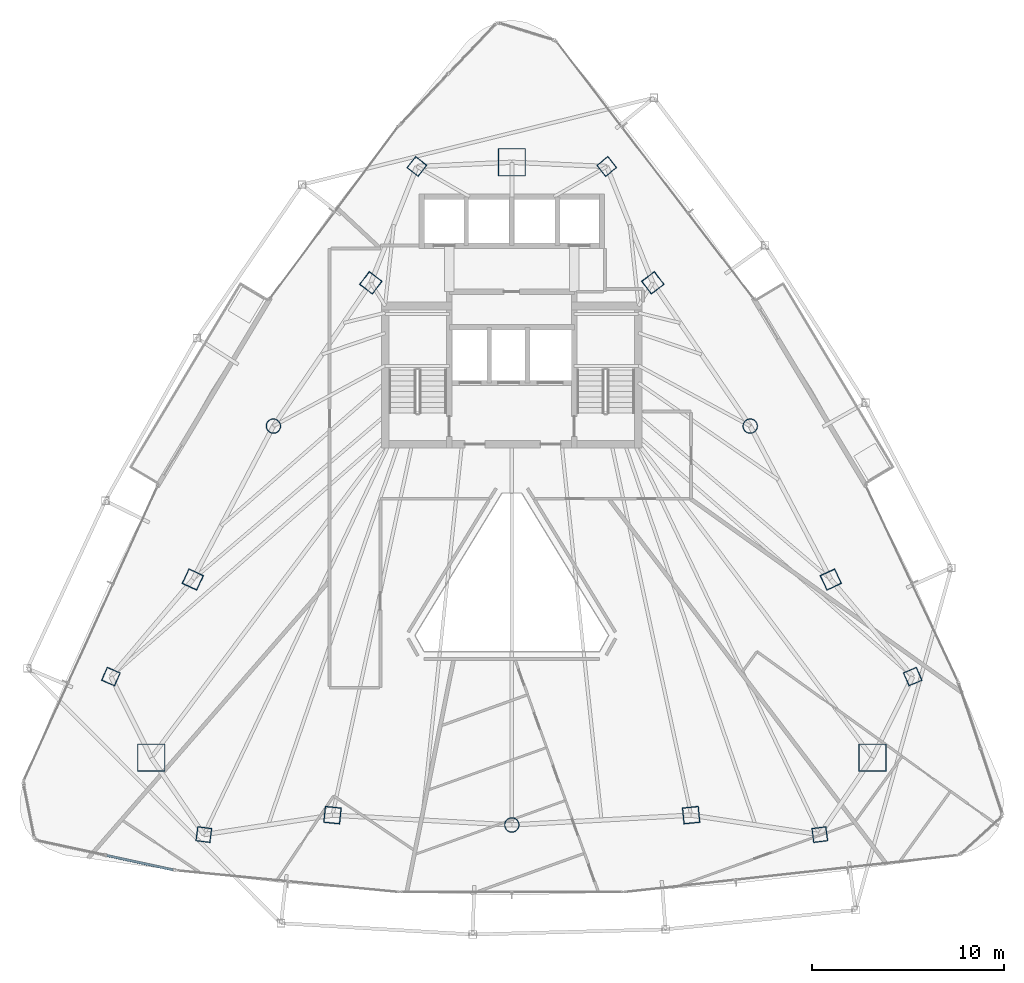
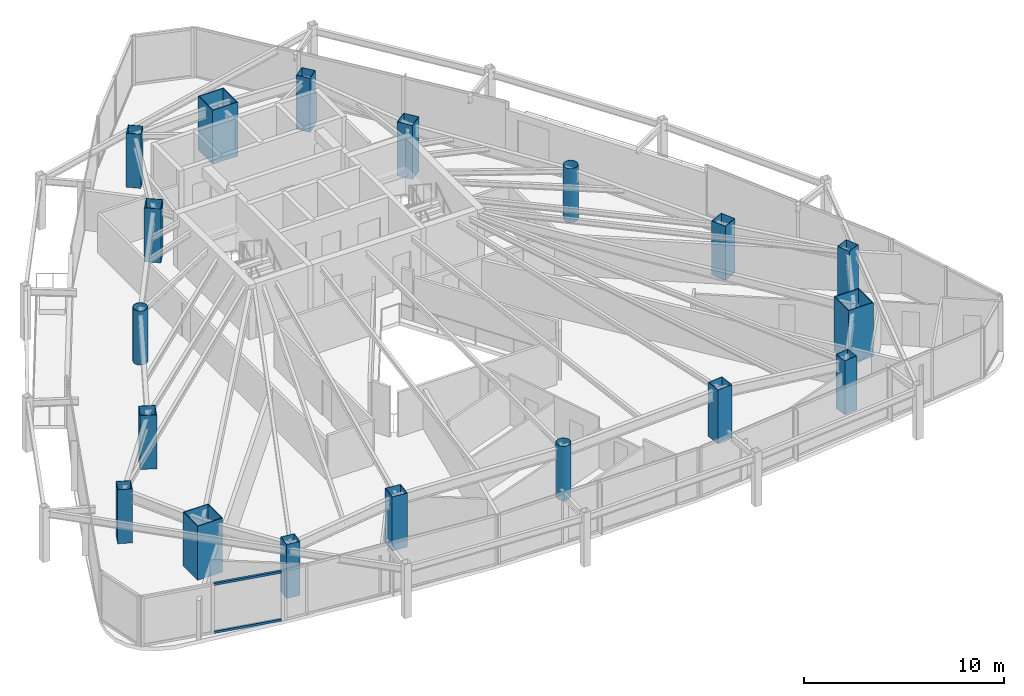
# One storey, part 1 of 30: 18 columns, 2 members, 1 element without a shape of its own.
"""IFC4 building model written with IfcOpenShell, lengths in metres."""

from ifc_helpers import new_model, si_unit, direction, frame, origin, origin_2d, place, context, subcontext, project, spatial, hollow_rectangle, hollow_circle, extrude, material, layer, layer_set, material_profile, profile_set, type_object, element, aggregate, save


model = new_model("IFC4")

# Units and contexts
model_context = context("Model", 3, precision=1e-05, world=origin(), true_north=direction((0.0, 1.0)))
body_context = subcontext(model_context, "Body", "Model", "MODEL_VIEW")
ifc_project = project(units=[si_unit("LENGTHUNIT", "METRE"), si_unit("AREAUNIT", "SQUARE_METRE"), si_unit("VOLUMEUNIT", "CUBIC_METRE"), si_unit("PLANEANGLEUNIT", "RADIAN"), si_unit("MASSUNIT", "GRAM", prefix="KILO")], contexts=[model_context])

# Site, building, storey
site_placement = place(None, origin())
site = spatial("IfcSite", under=ifc_project, at=site_placement, CompositionType="ELEMENT")
building_placement = place(site_placement, origin())
building = spatial("IfcBuilding", under=site, at=building_placement, Name="Orvanel Arch Residences", CompositionType="ELEMENT")
storey_placement = place(building_placement, frame((0.0, 0.0, 139.699951171875)))
storey = spatial("IfcBuildingStorey", under=building, at=storey_placement, Name="L39", CompositionType="ELEMENT", Elevation=139.699951171875)

# Columns
ifc_material_1 = material(Name="Structural steel AS/NZS 1163 C450L0 (Grade 450)", Category="steel")
ifc_material_profile_1 = material_profile(ifc_material_1, hollow_circle(Radius=0.381103515625, WallThickness=0.02197265625, at=origin_2d()), Name="CHS762x22")
ifc_profile_set_1 = profile_set([ifc_material_profile_1], Name="Structural steel AS/NZS 1163 C450L0 (Grade 450)")
column_type_1 = type_object("IfcColumnType", Name="CC-762", PredefinedType="COLUMN", material=ifc_profile_set_1)
for number, where, z_axis, x_axis, name in (
    (1, (20.569091796875, 27.64111328125, 0.0), (0.0, 0.0, 1.0), (1.0, 0.0, 0.0), "L39 High-Rise Tube Column 02"),
    (2, (33.0, 6.843994140625, 0.0), (0.0, 0.0, 1.0), (1.0, 0.0, 0.0), "L39 High-Rise Tube Column 05"),
    (3, (45.430908203125, 27.64111328125, 0.0), (0.0, 0.0, 1.0), (1.0, 0.0, 0.0), "L39 High-Rise Tube Column 08"),
):
    element("IfcColumn", number, at=place(storey_placement, frame(where, z_axis=z_axis, x_axis=x_axis)), inside=storey, type_object=column_type_1, Name=name, PredefinedType="COLUMN", context=body_context, shape_type="SweptSolid", body=[
        extrude(hollow_circle(Radius=0.381103515625, WallThickness=0.02197265625, at=origin_2d()), origin(), (0.0, 0.0, 1.0), 3.300048828125),
    ])
ifc_material_2 = material(Name="Structural steel AS/NZS 3678 Grade 450", Category="steel")
ifc_material_profile_2 = material_profile(ifc_material_2, hollow_rectangle(XDim=1.449951171875, YDim=1.449951171875, WallThickness=0.044921875, at=origin_2d()), Name="BOX1450x1450x45")
ifc_profile_set_2 = profile_set([ifc_material_profile_2], Name="Structural steel AS/NZS 3678 Grade 450")
column_type_2 = type_object("IfcColumnType", Name="MC-1450", PredefinedType="COLUMN", material=ifc_profile_set_2)
for number, where, z_axis, x_axis, name in (
    (4, (33.0, 41.39794921875, 0.0), (0.0, 0.0, 1.0), (1.0, 0.0, 0.0), "L39 Corner Mega-Column 1"),
    (5, (14.198974609375, 10.35107421875, 0.0), (0.0, 0.0, 1.0), (1.0, 0.0, 0.0), "L39 Corner Mega-Column 2"),
    (6, (51.801025390625, 10.35107421875, 0.0), (0.0, 0.0, 1.0), (1.0, 0.0, 0.0), "L39 Corner Mega-Column 3"),
):
    element("IfcColumn", number, at=place(storey_placement, frame(where, z_axis=z_axis, x_axis=x_axis)), inside=storey, type_object=column_type_2, Name=name, PredefinedType="COLUMN", context=body_context, shape_type="SweptSolid", body=[
        extrude(hollow_rectangle(XDim=1.449951171875, YDim=1.449951171875, WallThickness=0.044921875, at=origin_2d()), origin(), (0.0, 0.0, 1.0), 3.300048828125),
    ])
ifc_material_3 = material(Name="Structural steel AS/NZS 3678 Grade 350", Category="steel")
ifc_material_profile_3 = material_profile(ifc_material_3, hollow_rectangle(XDim=0.75, YDim=0.75, WallThickness=0.02490234375, at=origin_2d()), Name="BOX750x750x25")
ifc_profile_set_3 = profile_set([ifc_material_profile_3], Name="Structural steel AS/NZS 3678 Grade 350")
column_type_3 = type_object("IfcColumnType", Name="TC-750", PredefinedType="COLUMN", material=ifc_profile_set_3)
for number, where, z_axis, x_axis, name in (
    (7, (28.050048828125, 41.177978515625, 0.0), (0.0, 0.0, 1.0), (0.623879596709, 0.781520472419, 0.0), "L39 Mid-Rise Buttress Tube Column 01"),
    (8, (12.094970703125, 14.580078125, 0.0), (0.0, 0.0, 1.0), (0.397147890635, 0.917754625684, 0.0), "L39 Mid-Rise Buttress Tube Column 02"),
    (9, (16.94091796875, 6.339111328125, 0.0), (0.0, 0.0, 1.0), (-0.99189444259, 0.127064608601, 0.0), "L39 Mid-Rise Buttress Tube Column 03"),
    (10, (49.05908203125, 6.339111328125, 0.0), (0.0, 0.0, 1.0), (0.99189444259, 0.127064608601, 0.0), "L39 Mid-Rise Buttress Tube Column 04"),
    (11, (53.905029296875, 14.580078125, 0.0), (0.0, 0.0, 1.0), (-0.397147890635, 0.917754625684, 0.0), "L39 Mid-Rise Buttress Tube Column 05"),
    (12, (37.949951171875, 41.177978515625, 0.0), (0.0, 0.0, 1.0), (-0.623879596709, 0.781520472419, 0.0), "L39 Mid-Rise Buttress Tube Column 06"),
):
    element("IfcColumn", number, at=place(storey_placement, frame(where, z_axis=z_axis, x_axis=x_axis)), inside=storey, type_object=column_type_3, Name=name, PredefinedType="COLUMN", context=body_context, shape_type="SweptSolid", body=[
        extrude(hollow_rectangle(XDim=0.75, YDim=0.75, WallThickness=0.02490234375, at=origin_2d()), origin(), (0.0, 0.0, 1.0), 3.300048828125),
    ])
ifc_material_profile_4 = material_profile(ifc_material_3, hollow_rectangle(XDim=0.85009765625, YDim=0.85009765625, WallThickness=0.028076171875, at=origin_2d()), Name="BOX850x850x28")
ifc_profile_set_4 = profile_set([ifc_material_profile_4], Name="Structural steel AS/NZS 3678 Grade 350")
column_type_4 = type_object("IfcColumnType", Name="TC-850", PredefinedType="COLUMN", material=ifc_profile_set_4)
for number, where, z_axis, x_axis, name in (
    (13, (25.64794921875, 35.113037109375, 0.0), (0.0, 0.0, 1.0), (0.600420225326, 0.799684658487, 0.0), "L39 High-Rise Tube Column 01"),
    (14, (16.366943359375, 19.64208984375, 0.0), (0.0, 0.0, 1.0), (0.422618261741, 0.906307787037, 0.0), "L39 High-Rise Tube Column 03"),
    (15, (23.64892578125, 7.35498046875, 0.0), (0.0, 0.0, 1.0), (-0.994880708829, 0.101056297183, 0.0), "L39 High-Rise Tube Column 04"),
    (16, (42.35107421875, 7.35498046875, 0.0), (0.0, 0.0, 1.0), (0.994880708829, 0.101056297183, 0.0), "L39 High-Rise Tube Column 06"),
    (17, (49.633056640625, 19.64208984375, 0.0), (0.0, 0.0, 1.0), (-0.422618261741, 0.906307787037, 0.0), "L39 High-Rise Tube Column 07"),
    (18, (40.35205078125, 35.113037109375, 0.0), (0.0, 0.0, 1.0), (-0.600420225326, 0.799684658487, 0.0), "L39 High-Rise Tube Column 09"),
):
    element("IfcColumn", number, at=place(storey_placement, frame(where, z_axis=z_axis, x_axis=x_axis)), inside=storey, type_object=column_type_4, Name=name, PredefinedType="COLUMN", context=body_context, shape_type="SweptSolid", body=[
        extrude(hollow_rectangle(XDim=0.85009765625, YDim=0.85009765625, WallThickness=0.028076171875, at=origin_2d()), origin(), (0.0, 0.0, 1.0), 3.300048828125),
    ])

# Curtain wall, members
ifc_material_4 = material(Name="Bronze-anodised aluminium AA6063-T6", Category="aluminium")
ifc_layer = layer(ifc_material_4, 0.18994140625)
ifc_layer_set = layer_set([ifc_layer], Name="Bronze-anodised aluminium AA6063-T6")
curtain_wall_type = type_object("IfcCurtainWallType", Name="CW5-CRN-SYS", PredefinedType="NOTDEFINED", material=ifc_layer_set)
curtain_wall_placement = place(storey_placement, origin())
curtain_wall = element("IfcCurtainWall", 19, at=curtain_wall_placement, inside=storey, type_object=curtain_wall_type, Name="L39 CW5-CRN-SYS Unitised Curtain Wall", PredefinedType="NOTDEFINED")
ifc_material_profile_5 = material_profile(ifc_material_4, hollow_rectangle(XDim=0.1298828125, YDim=0.1298828125, WallThickness=0.00439453125, at=origin_2d()), Name="ALU130x130x4.5")
ifc_profile_set_5 = profile_set([ifc_material_profile_5], Name="Bronze-anodised aluminium AA6063-T6")
member_type = type_object("IfcMemberType", Name="TRN-130x130", PredefinedType="USERDEFINED", material=ifc_profile_set_5)
member_1_placement = place(storey_placement, frame((11.88671875, 5.251708984375, 0.06494140625), z_axis=(0.977394103242, -0.21142555888, 0.0), x_axis=(0.21142555888, 0.977394103242, 0.0)))
member_1 = element("IfcMember", 20, at=member_1_placement, type_object=member_type, Name="CW-S5 transom 2.1", ObjectType="TRANSOM", PredefinedType="USERDEFINED", context=body_context, shape_type="SweptSolid", body=[
    extrude(hollow_rectangle(XDim=0.1298828125, YDim=0.1298828125, WallThickness=0.00439453125, at=origin_2d()), origin(), (0.0, 0.0, 1.0), 3.533447265625),
])
member_2_placement = place(storey_placement, frame((11.88671875, 5.251708984375, 2.9951171875), z_axis=(0.977394103242, -0.21142555888, 0.0), x_axis=(0.21142555888, 0.977394103242, 0.0)))
member_2 = element("IfcMember", 21, at=member_2_placement, type_object=member_type, Name="CW-S5 transom 2.2", ObjectType="TRANSOM", PredefinedType="USERDEFINED", context=body_context, shape_type="SweptSolid", body=[
    extrude(hollow_rectangle(XDim=0.1298828125, YDim=0.1298828125, WallThickness=0.00439453125, at=origin_2d()), origin(), (0.0, 0.0, 1.0), 3.533447265625),
])
aggregate(curtain_wall, [member_1, member_2])

save(model, "model.ifc")
